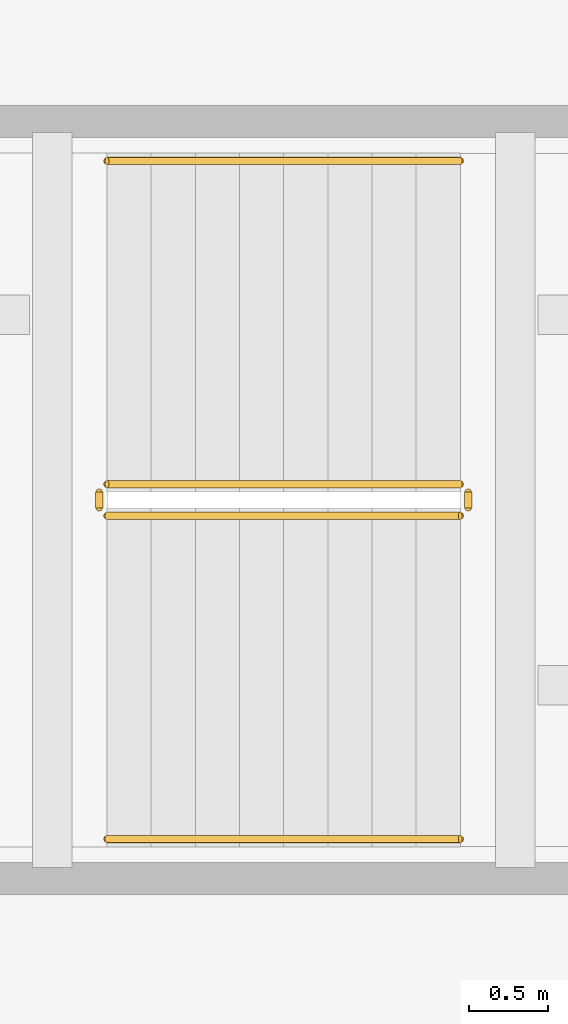
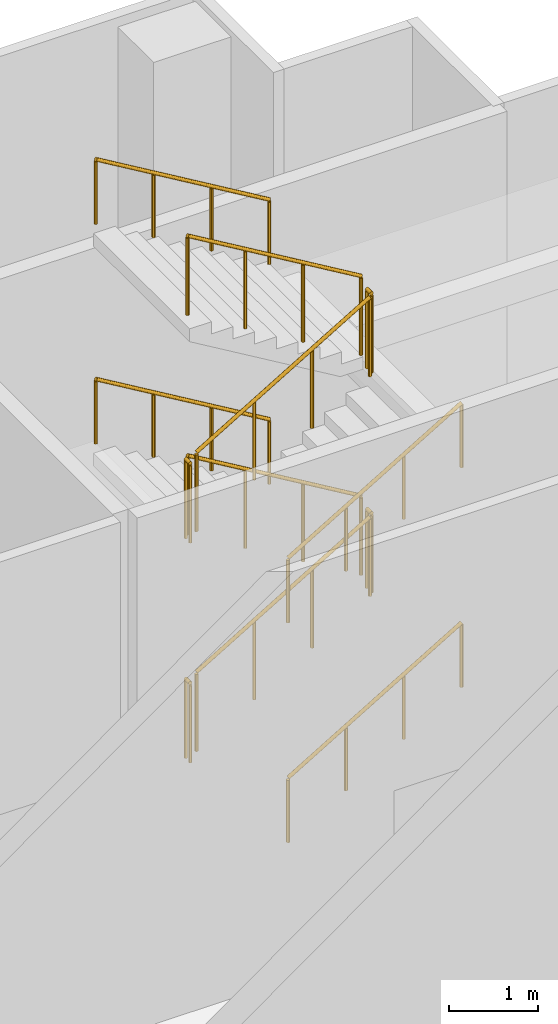
# One storey, part 28 of 29: 12 railings.
"""IFC4 building model written with IfcOpenShell, lengths in metres."""

from ifc_helpers import new_model, si_unit, direction, frame, origin, origin_2d, place, context, subcontext, project, spatial, circle, extrude, material, type_object, element, save


model = new_model("IFC4")

# Units and contexts
model_context = context("Model", 3, precision=1e-05, world=origin(), true_north=direction((0.0, 1.0)))
body_context = subcontext(model_context, "Body", "Model", "MODEL_VIEW")
ifc_project = project(units=[si_unit("LENGTHUNIT", "METRE"), si_unit("AREAUNIT", "SQUARE_METRE"), si_unit("VOLUMEUNIT", "CUBIC_METRE"), si_unit("PLANEANGLEUNIT", "RADIAN"), si_unit("MASSUNIT", "GRAM", prefix="KILO")], contexts=[model_context])

# Site, building, storey
site_placement = place(None, origin())
site = spatial("IfcSite", under=ifc_project, at=site_placement, CompositionType="ELEMENT")
building_placement = place(site_placement, origin())
building = spatial("IfcBuilding", under=site, at=building_placement, Name="Verdalira Terraces Hotel", CompositionType="ELEMENT")
storey_placement = place(building_placement, frame((0.0, 0.0, 8.0)))
storey = spatial("IfcBuildingStorey", under=building, at=storey_placement, Name="L01", CompositionType="ELEMENT", Elevation=8.0)

# Railings
ifc_material_1 = material(Name="Stainless steel", Category="steel")
railing_type_1 = type_object("IfcRailingType", Name="Stair guard 1100", PredefinedType="GUARDRAIL", material=ifc_material_1)
railing_1_placement = place(storey_placement, frame((-0.75, 38.699951, 0.166748)))
element("IfcRailing", 1, at=railing_1_placement, inside=storey, type_object=railing_type_1, Name="L01 PS1 stair guard 1", PredefinedType="GUARDRAIL", context=body_context, shape_type="SweptSolid", body=[
    extrude(circle(Radius=0.023926, at=origin_2d()), frame((0.0, 0.0, 1.076172), z_axis=(0.859305625, 0.0, 0.511462454), x_axis=(0.0, 1.0, 0.0)), (0.0, 0.0, 1.0), 2.606689),
    extrude(circle(Radius=0.020996, at=origin_2d()), origin(), (0.0, 0.0, 1.0), 1.052002),
    extrude(circle(Radius=0.020996, at=origin_2d()), frame((0.746582, 0.0, 0.444336)), (0.0, 0.0, 1.0), 1.052002),
    extrude(circle(Radius=0.020996, at=origin_2d()), frame((1.493408, 0.0, 0.888916)), (0.0, 0.0, 1.0), 1.052002),
    extrude(circle(Radius=0.020996, at=origin_2d()), frame((2.23999, 0.0, 1.333252)), (0.0, 0.0, 1.0), 1.052002),
])
railing_2_placement = place(storey_placement, frame((1.540039, 38.75, 1.5)))
element("IfcRailing", 2, at=railing_2_placement, inside=storey, type_object=railing_type_1, Name="L01 PS1 stair guard 2", PredefinedType="GUARDRAIL", context=body_context, shape_type="SweptSolid", body=[
    extrude(circle(Radius=0.023926, at=origin_2d()), frame((0.0, 0.0, 1.076172), z_axis=(0.0, 1.0, 0.0), x_axis=(-1.0, 0.0, 0.0)), (0.0, 0.0, 1.0), 0.100098),
    extrude(circle(Radius=0.020996, at=origin_2d()), origin(), (0.0, 0.0, 1.0), 1.052002),
    extrude(circle(Radius=0.020996, at=origin_2d()), frame((0.0, 0.100098, 0.0)), (0.0, 0.0, 1.0), 1.052002),
])
railing_3_placement = place(storey_placement, frame((1.48999, 38.899902, 1.666748)))
element("IfcRailing", 3, at=railing_3_placement, inside=storey, type_object=railing_type_1, Name="L01 PS1 stair guard 3", PredefinedType="GUARDRAIL", context=body_context, shape_type="SweptSolid", body=[
    extrude(circle(Radius=0.023926, at=origin_2d()), frame((0.0, 0.0, 1.076172), z_axis=(-0.859305625, 0.0, 0.511462454), x_axis=(0.0, -1.0, 0.0)), (0.0, 0.0, 1.0), 2.606689),
    extrude(circle(Radius=0.020996, at=origin_2d()), origin(), (0.0, 0.0, 1.0), 1.052002),
    extrude(circle(Radius=0.020996, at=origin_2d()), frame((-0.746582, 0.0, 0.444336)), (0.0, 0.0, 1.0), 1.052002),
    extrude(circle(Radius=0.020996, at=origin_2d()), frame((-1.493408, 0.0, 0.888916)), (0.0, 0.0, 1.0), 1.052002),
    extrude(circle(Radius=0.020996, at=origin_2d()), frame((-2.23999, 0.0, 1.333252)), (0.0, 0.0, 1.0), 1.052002),
])
railing_4_placement = place(storey_placement, frame((-0.800049, 38.75, 3.0)))
element("IfcRailing", 4, at=railing_4_placement, inside=storey, type_object=railing_type_1, Name="L01 PS1 stair guard 4", PredefinedType="GUARDRAIL", context=body_context, shape_type="SweptSolid", body=[
    extrude(circle(Radius=0.023926, at=origin_2d()), frame((0.0, 0.0, 1.076172), z_axis=(0.0, 1.0, 0.0), x_axis=(-1.0, 0.0, 0.0)), (0.0, 0.0, 1.0), 0.100098),
    extrude(circle(Radius=0.020996, at=origin_2d()), origin(), (0.0, 0.0, 1.0), 1.052002),
    extrude(circle(Radius=0.020996, at=origin_2d()), frame((0.0, 0.100098, 0.0)), (0.0, 0.0, 1.0), 1.052002),
])
railing_5_placement = place(storey_placement, frame((-0.75, 38.699951, 3.166748)))
element("IfcRailing", 5, at=railing_5_placement, inside=storey, type_object=railing_type_1, Name="L01 PS1 stair guard 5", PredefinedType="GUARDRAIL", context=body_context, shape_type="SweptSolid", body=[
    extrude(circle(Radius=0.023926, at=origin_2d()), frame((0.0, 0.0, 1.076172), z_axis=(0.859305625, 0.0, 0.511462454), x_axis=(0.0, 1.0, 0.0)), (0.0, 0.0, 1.0), 2.606689),
    extrude(circle(Radius=0.020996, at=origin_2d()), origin(), (0.0, 0.0, 1.0), 1.052002),
    extrude(circle(Radius=0.020996, at=origin_2d()), frame((0.746582, 0.0, 0.444336)), (0.0, 0.0, 1.0), 1.052002),
    extrude(circle(Radius=0.020996, at=origin_2d()), frame((1.493408, 0.0, 0.888916)), (0.0, 0.0, 1.0), 1.052002),
    extrude(circle(Radius=0.020996, at=origin_2d()), frame((2.23999, 0.0, 1.333252)), (0.0, 0.0, 1.0), 1.052002),
])
railing_6_placement = place(storey_placement, frame((1.540039, 38.75, 4.5)))
element("IfcRailing", 6, at=railing_6_placement, inside=storey, type_object=railing_type_1, Name="L01 PS1 stair guard 6", PredefinedType="GUARDRAIL", context=body_context, shape_type="SweptSolid", body=[
    extrude(circle(Radius=0.023926, at=origin_2d()), frame((0.0, 0.0, 1.076172), z_axis=(0.0, 1.0, 0.0), x_axis=(-1.0, 0.0, 0.0)), (0.0, 0.0, 1.0), 0.100098),
    extrude(circle(Radius=0.020996, at=origin_2d()), origin(), (0.0, 0.0, 1.0), 1.052002),
    extrude(circle(Radius=0.020996, at=origin_2d()), frame((0.0, 0.100098, 0.0)), (0.0, 0.0, 1.0), 1.052002),
])
railing_7_placement = place(storey_placement, frame((1.48999, 38.899902, 4.666748)))
element("IfcRailing", 7, at=railing_7_placement, inside=storey, type_object=railing_type_1, Name="L01 PS1 stair guard 7", PredefinedType="GUARDRAIL", context=body_context, shape_type="SweptSolid", body=[
    extrude(circle(Radius=0.023926, at=origin_2d()), frame((0.0, 0.0, 1.076172), z_axis=(-0.859305625, 0.0, 0.511462454), x_axis=(0.0, -1.0, 0.0)), (0.0, 0.0, 1.0), 2.606689),
    extrude(circle(Radius=0.020996, at=origin_2d()), origin(), (0.0, 0.0, 1.0), 1.052002),
    extrude(circle(Radius=0.020996, at=origin_2d()), frame((-0.746582, 0.0, 0.444336)), (0.0, 0.0, 1.0), 1.052002),
    extrude(circle(Radius=0.020996, at=origin_2d()), frame((-1.493408, 0.0, 0.888916)), (0.0, 0.0, 1.0), 1.052002),
    extrude(circle(Radius=0.020996, at=origin_2d()), frame((-2.23999, 0.0, 1.333252)), (0.0, 0.0, 1.0), 1.052002),
])
railing_8_placement = place(storey_placement, frame((-0.800049, 38.75, 0.0)))
element("IfcRailing", 8, at=railing_8_placement, inside=storey, type_object=railing_type_1, Name="L01 PS1 stair guard 8", PredefinedType="GUARDRAIL", context=body_context, shape_type="SweptSolid", body=[
    extrude(circle(Radius=0.023926, at=origin_2d()), frame((0.0, 0.0, 1.076172), z_axis=(0.0, 1.0, 0.0), x_axis=(-1.0, 0.0, 0.0)), (0.0, 0.0, 1.0), 0.100098),
    extrude(circle(Radius=0.020996, at=origin_2d()), origin(), (0.0, 0.0, 1.0), 1.052002),
    extrude(circle(Radius=0.020996, at=origin_2d()), frame((0.0, 0.100098, 0.0)), (0.0, 0.0, 1.0), 1.052002),
])
ifc_material_2 = material(Name="Stainless steel", Category="steel")
railing_type_2 = type_object("IfcRailingType", Name="Stair handrail 900", PredefinedType="HANDRAIL", material=ifc_material_2)
railing_9_placement = place(storey_placement, frame((-0.75, 36.649902, 0.166748)))
element("IfcRailing", 9, at=railing_9_placement, inside=storey, type_object=railing_type_2, Name="L01 PS1 stair handrail 1", PredefinedType="HANDRAIL", context=body_context, shape_type="SweptSolid", body=[
    extrude(circle(Radius=0.023926, at=origin_2d()), frame((0.0, 0.0, 0.875977), z_axis=(0.859305625, 0.0, 0.511462454), x_axis=(0.0, 1.0, 0.0)), (0.0, 0.0, 1.0), 2.606689),
    extrude(circle(Radius=0.020996, at=origin_2d()), origin(), (0.0, 0.0, 1.0), 0.851807),
    extrude(circle(Radius=0.020996, at=origin_2d()), frame((0.746582, 0.0, 0.444336)), (0.0, 0.0, 1.0), 0.851807),
    extrude(circle(Radius=0.020996, at=origin_2d()), frame((1.493408, 0.0, 0.888916)), (0.0, 0.0, 1.0), 0.851807),
    extrude(circle(Radius=0.020996, at=origin_2d()), frame((2.23999, 0.0, 1.333252)), (0.0, 0.0, 1.0), 0.851807),
])
railing_10_placement = place(storey_placement, frame((1.48999, 40.949951, 1.666748)))
element("IfcRailing", 10, at=railing_10_placement, inside=storey, type_object=railing_type_2, Name="L01 PS1 stair handrail 2", PredefinedType="HANDRAIL", context=body_context, shape_type="SweptSolid", body=[
    extrude(circle(Radius=0.023926, at=origin_2d()), frame((0.0, 0.0, 0.875977), z_axis=(-0.859305625, 0.0, 0.511462454), x_axis=(0.0, -1.0, 0.0)), (0.0, 0.0, 1.0), 2.606689),
    extrude(circle(Radius=0.020996, at=origin_2d()), origin(), (0.0, 0.0, 1.0), 0.851807),
    extrude(circle(Radius=0.020996, at=origin_2d()), frame((-0.746582, 0.0, 0.444336)), (0.0, 0.0, 1.0), 0.851807),
    extrude(circle(Radius=0.020996, at=origin_2d()), frame((-1.493408, 0.0, 0.888916)), (0.0, 0.0, 1.0), 0.851807),
    extrude(circle(Radius=0.020996, at=origin_2d()), frame((-2.23999, 0.0, 1.333252)), (0.0, 0.0, 1.0), 0.851807),
])
railing_11_placement = place(storey_placement, frame((-0.75, 36.649902, 3.166748)))
element("IfcRailing", 11, at=railing_11_placement, inside=storey, type_object=railing_type_2, Name="L01 PS1 stair handrail 3", PredefinedType="HANDRAIL", context=body_context, shape_type="SweptSolid", body=[
    extrude(circle(Radius=0.023926, at=origin_2d()), frame((0.0, 0.0, 0.875977), z_axis=(0.859305625, 0.0, 0.511462454), x_axis=(0.0, 1.0, 0.0)), (0.0, 0.0, 1.0), 2.606689),
    extrude(circle(Radius=0.020996, at=origin_2d()), origin(), (0.0, 0.0, 1.0), 0.851807),
    extrude(circle(Radius=0.020996, at=origin_2d()), frame((0.746582, 0.0, 0.444336)), (0.0, 0.0, 1.0), 0.851807),
    extrude(circle(Radius=0.020996, at=origin_2d()), frame((1.493408, 0.0, 0.888916)), (0.0, 0.0, 1.0), 0.851807),
    extrude(circle(Radius=0.020996, at=origin_2d()), frame((2.23999, 0.0, 1.333252)), (0.0, 0.0, 1.0), 0.851807),
])
railing_12_placement = place(storey_placement, frame((1.48999, 40.949951, 4.666748)))
element("IfcRailing", 12, at=railing_12_placement, inside=storey, type_object=railing_type_2, Name="L01 PS1 stair handrail 4", PredefinedType="HANDRAIL", context=body_context, shape_type="SweptSolid", body=[
    extrude(circle(Radius=0.023926, at=origin_2d()), frame((0.0, 0.0, 0.875977), z_axis=(-0.859305625, 0.0, 0.511462454), x_axis=(0.0, -1.0, 0.0)), (0.0, 0.0, 1.0), 2.606689),
    extrude(circle(Radius=0.020996, at=origin_2d()), origin(), (0.0, 0.0, 1.0), 0.851807),
    extrude(circle(Radius=0.020996, at=origin_2d()), frame((-0.746582, 0.0, 0.444336)), (0.0, 0.0, 1.0), 0.851807),
    extrude(circle(Radius=0.020996, at=origin_2d()), frame((-1.493408, 0.0, 0.888916)), (0.0, 0.0, 1.0), 0.851807),
    extrude(circle(Radius=0.020996, at=origin_2d()), frame((-2.23999, 0.0, 1.333252)), (0.0, 0.0, 1.0), 0.851807),
])

save(model, "model.ifc")
